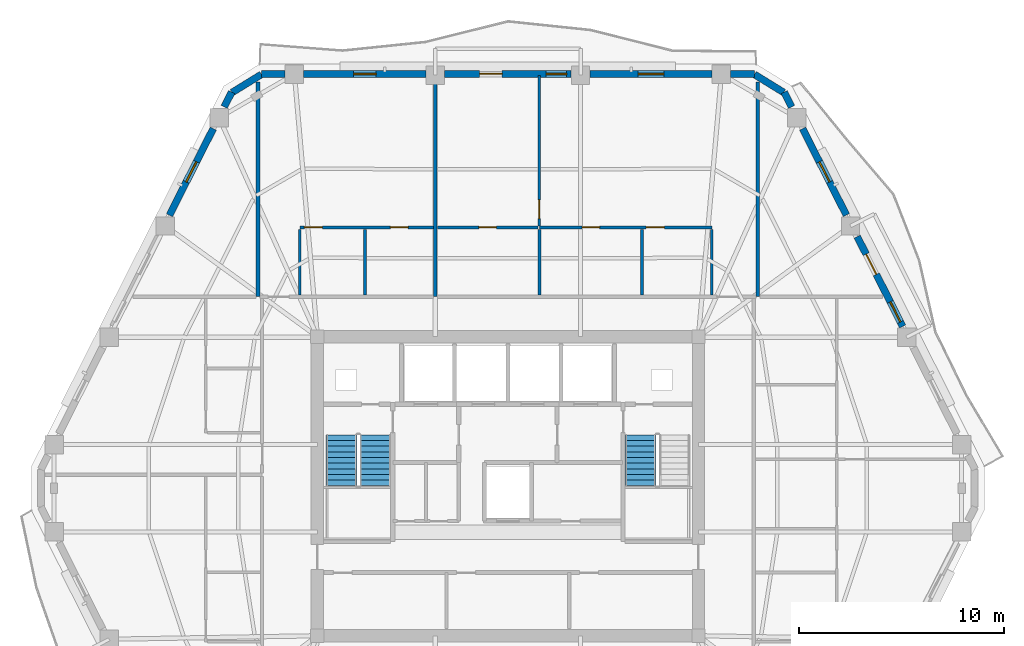
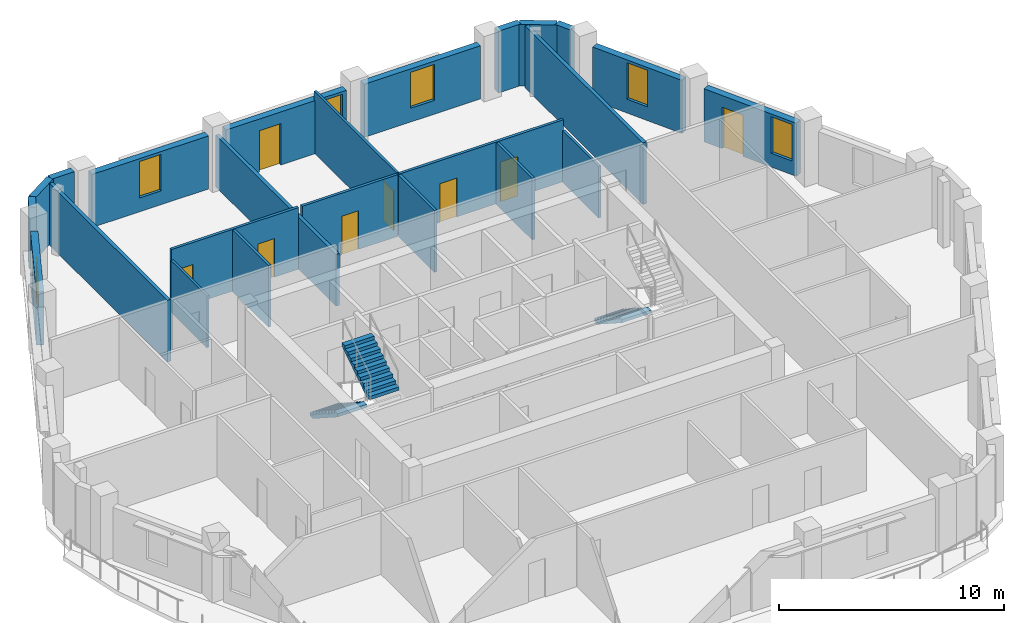
# One storey, part 7 of 11: 24 walls, 8 doors, 6 windows, 3 stair flights, 14 openings, 2 elements without a shape of their own.
"""IFC4 building model written with IfcOpenShell, lengths in metres."""

from ifc_helpers import new_model, si_unit, direction, frame, frame_2d, origin, place, context, subcontext, project, spatial, polyline, rectangle, outline, extrude, material, layer, layer_set, type_object, element, fill, aggregate, save


model = new_model("IFC4")

# Units and contexts
model_context = context("Model", 3, precision=1e-05, world=origin(), true_north=direction((0.0, 1.0)))
body_context = subcontext(model_context, "Body", "Model", "MODEL_VIEW")
ifc_project = project(units=[si_unit("LENGTHUNIT", "METRE"), si_unit("AREAUNIT", "SQUARE_METRE"), si_unit("VOLUMEUNIT", "CUBIC_METRE"), si_unit("PLANEANGLEUNIT", "RADIAN"), si_unit("MASSUNIT", "GRAM", prefix="KILO")], contexts=[model_context])

# Site, building, storey
site_placement = place(None, origin())
site = spatial("IfcSite", under=ifc_project, at=site_placement, CompositionType="ELEMENT")
building_placement = place(site_placement, origin())
building = spatial("IfcBuilding", under=site, at=building_placement, Name="Cinnabar Lancet Tower", CompositionType="ELEMENT")
storey_placement = place(building_placement, frame((0.0, 0.0, 196.75)))
storey = spatial("IfcBuildingStorey", under=building, at=storey_placement, Name="L52", CompositionType="ELEMENT", Elevation=196.75)

# Walls
ifc_material_1 = material(Name="Fire-rated twin-frame acoustic drywall", Category="gypsum")
ifc_layer_1 = layer(ifc_material_1, 0.179931640625)
ifc_layer_set_1 = layer_set([ifc_layer_1], Name="Fire-rated twin-frame acoustic drywall")
wall_type_1 = type_object("IfcWallType", Name="ARC-WL-PARTY-180", PredefinedType="PARTITIONING", material=ifc_layer_set_1)
wall_1_placement = place(storey_placement, frame((20.199951171875, 35.14990234375, 0.0), z_axis=(0.0, 0.0, 1.0), x_axis=(0.0, 1.0, 0.0)))
element("IfcWall", 1, at=wall_1_placement, inside=storey, type_object=wall_type_1, Name="PW-L52-NPTY-202", PredefinedType="PARTITIONING", context=body_context, shape_type="SweptSolid", body=[
    extrude(rectangle(XDim=10.482177734375, YDim=0.179931640625, at=frame_2d((5.2412109375, 0.0))), origin(), (0.0, 0.0, 1.0), 3.35009765625),
])
wall_2_placement = place(storey_placement, frame((28.85693359375, 35.14990234375, 0.0), z_axis=(0.0, 0.0, 1.0), x_axis=(0.0, 1.0, 0.0)))
element("IfcWall", 2, at=wall_2_placement, inside=storey, type_object=wall_type_1, Name="PW-L52-NPTY-289", PredefinedType="PARTITIONING", context=body_context, shape_type="SweptSolid", body=[
    extrude(rectangle(XDim=10.695068359375, YDim=0.179931640625, at=frame_2d((5.34765625, 0.0))), origin(), (0.0, 0.0, 1.0), 2.806884765625),
])
wall_3_placement = place(storey_placement, frame((44.60009765625, 35.14990234375, 0.0), z_axis=(0.0, 0.0, 1.0), x_axis=(0.0, 1.0, 0.0)))
element("IfcWall", 3, at=wall_3_placement, inside=storey, type_object=wall_type_1, Name="PW-L52-NPTY-446", PredefinedType="PARTITIONING", context=body_context, shape_type="SweptSolid", body=[
    extrude(rectangle(XDim=10.482177734375, YDim=0.179931640625, at=frame_2d((5.2412109375, 0.0))), origin(), (0.0, 0.0, 1.0), 3.35009765625),
])
ifc_material_2 = material(Name="Gypsum plasterboard stud partition", Category="gypsum")
ifc_layer_2 = layer(ifc_material_2, 0.125)
ifc_layer_set_2 = layer_set([ifc_layer_2], Name="Gypsum plasterboard stud partition")
wall_type_2 = type_object("IfcWallType", Name="ARC-WL-UNIT-125", PredefinedType="PARTITIONING", material=ifc_layer_set_2)
for number, where, z_axis, x_axis, name in (
    (4, (22.25, 35.235107421875, 0.0), (0.0, 0.0, 1.0), (0.0, 1.0, 0.0), "UW-L52-N01-FOYE"),
    (5, (42.35009765625, 35.235107421875, 0.0), (0.0, 0.0, 1.0), (0.0, 1.0, 0.0), "UW-L52-N02-FOYW"),
):
    element("IfcWall", number, at=place(storey_placement, frame(where, z_axis=z_axis, x_axis=x_axis)), inside=storey, type_object=wall_type_2, Name=name, PredefinedType="PARTITIONING", context=body_context, shape_type="SweptSolid", body=[
        extrude(rectangle(XDim=3.19384765625, YDim=0.125, at=frame_2d((1.596923828125, 0.0))), origin(), (0.0, 0.0, 1.0), 2.806884765625),
    ])

# Wall, opening, door
wall_4_placement = place(storey_placement, frame((33.93310546875, 38.60888671875, 0.0), z_axis=(0.0, 0.0, 1.0), x_axis=(0.0, 1.0, 0.0)))
wall_4 = element("IfcWall", 6, at=wall_4_placement, inside=storey, type_object=wall_type_2, Name="UW-L52-N02-MBW", PredefinedType="PARTITIONING", context=body_context, shape_type="SweptSolid", body=[
    extrude(rectangle(XDim=7.326171875, YDim=0.125, at=frame_2d((3.6630859375, 0.0))), origin(), (0.0, 0.0, 1.0), 3.35009765625),
])
opening_1_placement = place(wall_4_placement, frame((0.35009765625, 0.0, 0.0)))
opening_1 = element("IfcOpeningElement", 7, at=opening_1_placement, cuts=wall_4, Name="Opening RD-01", PredefinedType="OPENING", context=body_context, shape_type="SweptSolid", body=[
    extrude(rectangle(XDim=0.919921875, YDim=2.14990234375, at=frame_2d((0.4599609375, 1.074951171875))), frame((0.0, 0.072509765625, 0.0), z_axis=(0.0, -1.0, 0.0), x_axis=(1.0, 0.0, 0.0)), (0.0, 0.0, 1.0), 0.14501953125),
])
ifc_material_3 = material(Name="Engineered timber bedroom door", Category="wood")
door_type_1 = type_object("IfcDoorType", Name="ARC-DR-ROOM", OperationType="NOTDEFINED", PredefinedType="DOOR", material=ifc_material_3)
door_1_placement = place(opening_1_placement, origin())
door_1 = element("IfcDoor", 8, at=door_1_placement, inside=storey, type_object=door_type_1, Name="DR-L52-N02-MBD", OperationType="SINGLE_SWING_LEFT", OverallHeight=2.14990234375, OverallWidth=0.919921875, PredefinedType="DOOR", context=body_context, shape_type="SweptSolid", body=[
    extrude(rectangle(XDim=0.919921875, YDim=2.14990234375, at=frame_2d((0.4599609375, 1.074951171875))), frame((0.0, 0.02490234375, 0.0), z_axis=(0.0, -1.0, 0.0), x_axis=(1.0, 0.0, 0.0)), (0.0, 0.0, 1.0), 0.050048828125),
])
fill(opening_1, door_1)

# Wall, openings, doors
ifc_material_4 = material(Name="Moisture-resistant cement-board plumbing wall", Category="masonry")
ifc_layer_3 = layer(ifc_material_4, 0.139892578125)
ifc_layer_set_3 = layer_set([ifc_layer_3], Name="Moisture-resistant cement-board plumbing wall")
wall_type_3 = type_object("IfcWallType", Name="ARC-WL-WET-140", PredefinedType="PLUMBINGWALL", material=ifc_layer_set_3)
wall_5_placement = place(storey_placement, frame((22.25, 38.533935546875, 0.0), z_axis=(0.0, 0.0, 1.0), x_axis=(1.0, 0.0, 0.0)))
wall_5 = element("IfcWall", 9, at=wall_5_placement, inside=storey, type_object=wall_type_3, Name="UW-L52-N01-SPL", PredefinedType="PLUMBINGWALL", context=body_context, shape_type="SweptSolid", body=[
    extrude(rectangle(XDim=6.511962890625, YDim=0.139892578125, at=frame_2d((3.255859375, 0.0))), origin(), (0.0, 0.0, 1.0), 3.35009765625),
])
opening_2_placement = place(wall_5_placement, frame((4.4169921875, 0.0, 0.0)))
opening_2 = element("IfcOpeningElement", 10, at=opening_2_placement, cuts=wall_5, Name="Opening BD-01", PredefinedType="OPENING", context=body_context, shape_type="SweptSolid", body=[
    extrude(rectangle(XDim=0.860107421875, YDim=2.10009765625, at=frame_2d((0.43017578125, 1.050048828125))), frame((0.0, 0.079833984375, 0.0), z_axis=(0.0, -1.0, 0.0), x_axis=(1.0, 0.0, 0.0)), (0.0, 0.0, 1.0), 0.159912109375),
])
opening_3_placement = place(wall_5_placement, frame((0.219970703125, 0.0, 0.0)))
opening_3 = element("IfcOpeningElement", 11, at=opening_3_placement, cuts=wall_5, Name="Opening RD-02", PredefinedType="OPENING", context=body_context, shape_type="SweptSolid", body=[
    extrude(rectangle(XDim=0.8798828125, YDim=2.14990234375, at=frame_2d((0.43994140625, 1.074951171875))), frame((0.0, 0.079833984375, 0.0), z_axis=(0.0, -1.0, 0.0), x_axis=(1.0, 0.0, 0.0)), (0.0, 0.0, 1.0), 0.159912109375),
])
ifc_material_5 = material(Name="Moisture-resistant timber bathroom door", Category="wood")
door_type_2 = type_object("IfcDoorType", Name="ARC-DR-BATH", OperationType="NOTDEFINED", PredefinedType="DOOR", material=ifc_material_5)
door_2_placement = place(opening_2_placement, origin())
door_2 = element("IfcDoor", 12, at=door_2_placement, inside=storey, type_object=door_type_2, Name="DR-L52-N01-BTH", OperationType="SINGLE_SWING_LEFT", OverallHeight=2.10009765625, OverallWidth=0.860107421875, PredefinedType="DOOR", context=body_context, shape_type="SweptSolid", body=[
    extrude(rectangle(XDim=0.860107421875, YDim=2.10009765625, at=frame_2d((0.43017578125, 1.050048828125))), frame((0.0, 0.02490234375, 0.0), z_axis=(0.0, -1.0, 0.0), x_axis=(1.0, 0.0, 0.0)), (0.0, 0.0, 1.0), 0.050048828125),
])
fill(opening_2, door_2)
ifc_material_6 = material(Name="Engineered timber study door", Category="wood")
door_type_3 = type_object("IfcDoorType", Name="ARC-DR-STUDY", OperationType="NOTDEFINED", PredefinedType="DOOR", material=ifc_material_6)
door_3_placement = place(opening_3_placement, origin())
door_3 = element("IfcDoor", 13, at=door_3_placement, inside=storey, type_object=door_type_3, Name="DR-L52-N01-KIT", OperationType="SINGLE_SWING_RIGHT", OverallHeight=2.14990234375, OverallWidth=0.8798828125, PredefinedType="DOOR", context=body_context, shape_type="SweptSolid", body=[
    extrude(rectangle(XDim=0.8798828125, YDim=2.14990234375, at=frame_2d((0.43994140625, 1.074951171875))), frame((0.0, 0.02490234375, 0.0), z_axis=(0.0, -1.0, 0.0), x_axis=(1.0, 0.0, 0.0)), (0.0, 0.0, 1.0), 0.050048828125),
])
fill(opening_3, door_3)

# Wall
wall_6_placement = place(storey_placement, frame((25.4208984375, 35.235107421875, 0.0), z_axis=(0.0, 0.0, 1.0), x_axis=(0.0, 1.0, 0.0)))
element("IfcWall", 14, at=wall_6_placement, inside=storey, type_object=wall_type_3, Name="UW-L52-N01-KDV", PredefinedType="PLUMBINGWALL", context=body_context, shape_type="SweptSolid", body=[
    extrude(rectangle(XDim=3.19384765625, YDim=0.139892578125, at=frame_2d((1.596923828125, 0.0))), origin(), (0.0, 0.0, 1.0), 3.35009765625),
])

# Wall, openings, doors
wall_7_placement = place(storey_placement, frame((33.93310546875, 38.533935546875, 0.0), z_axis=(0.0, 0.0, 1.0), x_axis=(1.0, 0.0, 0.0)))
wall_7 = element("IfcWall", 15, at=wall_7_placement, inside=storey, type_object=wall_type_3, Name="UW-L52-N02-SPL", PredefinedType="PLUMBINGWALL", context=body_context, shape_type="SweptSolid", body=[
    extrude(rectangle(XDim=8.4169921875, YDim=0.139892578125, at=frame_2d((4.20849609375, 0.0))), origin(), (0.0, 0.0, 1.0), 3.35009765625),
])
opening_4_placement = place(wall_7_placement, frame((2.083984375, 0.0, 0.0)))
opening_4 = element("IfcOpeningElement", 16, at=opening_4_placement, cuts=wall_7, Name="Opening BD-01", PredefinedType="OPENING", context=body_context, shape_type="SweptSolid", body=[
    extrude(rectangle(XDim=0.860107421875, YDim=2.10009765625, at=frame_2d((0.43017578125, 1.050048828125))), frame((0.0, 0.079833984375, 0.0), z_axis=(0.0, -1.0, 0.0), x_axis=(1.0, 0.0, 0.0)), (0.0, 0.0, 1.0), 0.159912109375),
])
opening_5_placement = place(wall_7_placement, frame((5.217041015625, 0.0, 0.0)))
opening_5 = element("IfcOpeningElement", 17, at=opening_5_placement, cuts=wall_7, Name="Opening RD-02", PredefinedType="OPENING", context=body_context, shape_type="SweptSolid", body=[
    extrude(rectangle(XDim=0.8798828125, YDim=2.14990234375, at=frame_2d((0.43994140625, 1.074951171875))), frame((0.0, 0.079833984375, 0.0), z_axis=(0.0, -1.0, 0.0), x_axis=(1.0, 0.0, 0.0)), (0.0, 0.0, 1.0), 0.159912109375),
])
door_4_placement = place(opening_4_placement, origin())
door_4 = element("IfcDoor", 18, at=door_4_placement, inside=storey, type_object=door_type_2, Name="DR-L52-N02-BTH", OperationType="SINGLE_SWING_LEFT", OverallHeight=2.10009765625, OverallWidth=0.860107421875, PredefinedType="DOOR", context=body_context, shape_type="SweptSolid", body=[
    extrude(rectangle(XDim=0.860107421875, YDim=2.10009765625, at=frame_2d((0.43017578125, 1.050048828125))), frame((0.0, 0.02490234375, 0.0), z_axis=(0.0, -1.0, 0.0), x_axis=(1.0, 0.0, 0.0)), (0.0, 0.0, 1.0), 0.050048828125),
])
fill(opening_4, door_4)
door_5_placement = place(opening_5_placement, origin())
door_5 = element("IfcDoor", 19, at=door_5_placement, inside=storey, type_object=door_type_3, Name="DR-L52-N02-KIT", OperationType="SINGLE_SWING_RIGHT", OverallHeight=2.14990234375, OverallWidth=0.8798828125, PredefinedType="DOOR", context=body_context, shape_type="SweptSolid", body=[
    extrude(rectangle(XDim=0.8798828125, YDim=2.14990234375, at=frame_2d((0.43994140625, 1.074951171875))), frame((0.0, 0.02490234375, 0.0), z_axis=(0.0, -1.0, 0.0), x_axis=(1.0, 0.0, 0.0)), (0.0, 0.0, 1.0), 0.050048828125),
])
fill(opening_5, door_5)

# Wall, opening, door
wall_8_placement = place(storey_placement, frame((28.951904296875, 38.533935546875, 0.0), z_axis=(0.0, 0.0, 1.0), x_axis=(1.0, 0.0, 0.0)))
wall_8 = element("IfcWall", 20, at=wall_8_placement, inside=storey, type_object=wall_type_3, Name="UW-L52-N02-SPM", PredefinedType="PLUMBINGWALL", context=body_context, shape_type="SweptSolid", body=[
    extrude(rectangle(XDim=4.906005859375, YDim=0.139892578125, at=frame_2d((2.453125, 0.0))), origin(), (0.0, 0.0, 1.0), 3.35009765625),
])
opening_6_placement = place(wall_8_placement, frame((2.028076171875, 0.0, 0.0)))
opening_6 = element("IfcOpeningElement", 21, at=opening_6_placement, cuts=wall_8, Name="Opening BD-01", PredefinedType="OPENING", context=body_context, shape_type="SweptSolid", body=[
    extrude(rectangle(XDim=0.860107421875, YDim=2.10009765625, at=frame_2d((0.43017578125, 1.050048828125))), frame((0.0, 0.079833984375, 0.0), z_axis=(0.0, -1.0, 0.0), x_axis=(1.0, 0.0, 0.0)), (0.0, 0.0, 1.0), 0.159912109375),
])
door_6_placement = place(opening_6_placement, origin())
door_6 = element("IfcDoor", 22, at=door_6_placement, inside=storey, type_object=door_type_2, Name="DR-L52-N02-ENS", OperationType="SINGLE_SWING_RIGHT", OverallHeight=2.10009765625, OverallWidth=0.860107421875, PredefinedType="DOOR", context=body_context, shape_type="SweptSolid", body=[
    extrude(rectangle(XDim=0.860107421875, YDim=2.10009765625, at=frame_2d((0.43017578125, 1.050048828125))), frame((0.0, 0.02490234375, 0.0), z_axis=(0.0, -1.0, 0.0), x_axis=(1.0, 0.0, 0.0)), (0.0, 0.0, 1.0), 0.050048828125),
])
fill(opening_6, door_6)

# Walls
for number, where, z_axis, x_axis, name in (
    (23, (38.949951171875, 35.235107421875, 0.0), (0.0, 0.0, 1.0), (0.0, 1.0, 0.0), "UW-L52-N02-KBD"),
    (24, (33.93310546875, 35.235107421875, 0.0), (0.0, 0.0, 1.0), (0.0, 1.0, 0.0), "UW-L52-N02-ENSW"),
):
    element("IfcWall", number, at=place(storey_placement, frame(where, z_axis=z_axis, x_axis=x_axis)), inside=storey, type_object=wall_type_3, Name=name, PredefinedType="PLUMBINGWALL", context=body_context, shape_type="SweptSolid", body=[
        extrude(rectangle(XDim=3.19384765625, YDim=0.139892578125, at=frame_2d((1.596923828125, 0.0))), origin(), (0.0, 0.0, 1.0), 3.35009765625),
    ])
ifc_material_7 = material(Name="Cinnabar red clay brick", Category="masonry")
ifc_layer_4 = layer(ifc_material_7, 0.340087890625)
ifc_layer_set_4 = layer_set([ifc_layer_4], Name="Cinnabar red clay brick")
wall_type_4 = type_object("IfcWallType", Name="ENV-WL-BRK-RED-340", PredefinedType="STANDARD", material=ifc_layer_set_4)
for number, where, z_axis, x_axis, name in (
    (25, (45.862060546875, 45.115966796875, 0.0), (0.0, 0.0, 1.0), (-0.851713271379, 0.524008113828, 0.0), "L52 Chamfered Corner Brick Pier 4.1"),
    (26, (20.366943359375, 45.9951171875, 0.0), (0.0, 0.0, 1.0), (-0.851713271379, -0.524008113828, 0.0), "L52 Chamfered Corner Brick Pier 5.1"),
):
    element("IfcWall", number, at=place(storey_placement, frame(where, z_axis=z_axis, x_axis=x_axis)), inside=storey, type_object=wall_type_4, Name=name, PredefinedType="STANDARD", context=body_context, shape_type="SweptSolid", body=[
        extrude(rectangle(XDim=1.677734375, YDim=0.340087890625, at=frame_2d((0.8388671875, 0.0))), origin(), (0.0, 0.0, 1.0), 3.35009765625),
    ])

# Wall, openings, door, window
wall_9_placement = place(storey_placement, frame((51.6650390625, 33.701904296875, 0.0), z_axis=(0.0, 0.0, 1.0), x_axis=(-0.451524246964, 0.89225884944, 0.0)))
wall_9 = element("IfcWall", 27, at=wall_9_placement, inside=storey, type_object=wall_type_4, Name="L52 Face 3 Masonry Bay Wall 3", PredefinedType="STANDARD", context=body_context, shape_type="SweptSolid", body=[
    extrude(rectangle(XDim=4.91015625, YDim=0.340087890625, at=frame_2d((2.455078125, 0.0))), origin(), (0.0, 0.0, 1.0), 2.883056640625),
])
opening_7_placement = place(wall_9_placement, frame((2.842041015625, 0.0, 0.0)))
opening_7 = element("IfcOpeningElement", 28, at=opening_7_placement, cuts=wall_9, Name="Opening TD-01", PredefinedType="OPENING", context=body_context, shape_type="SweptSolid", body=[
    extrude(rectangle(XDim=1.10009765625, YDim=2.25, at=frame_2d((0.550048828125, 1.125))), frame((0.0, 0.179931640625, 0.0), z_axis=(0.0, -1.0, 0.0), x_axis=(1.0, 0.0, 0.0)), (0.0, 0.0, 1.0), 0.360107421875),
])
opening_8_placement = place(wall_9_placement, frame((0.240966796875, 0.0, 0.75)))
opening_8 = element("IfcOpeningElement", 29, at=opening_8_placement, cuts=wall_9, Name="Opening WN-04", PredefinedType="OPENING", context=body_context, shape_type="SweptSolid", body=[
    extrude(rectangle(XDim=1.10009765625, YDim=1.98291015625, at=frame_2d((0.550048828125, 0.991455078125))), frame((0.0, 0.179931640625, 0.0), z_axis=(0.0, -1.0, 0.0), x_axis=(1.0, 0.0, 0.0)), (0.0, 0.0, 1.0), 0.360107421875),
])
ifc_material_8 = material(Name="Thermally broken low-E glazed balcony terrace door", Category="wood")
door_type_4 = type_object("IfcDoorType", Name="ARC-DR-BALC", OperationType="NOTDEFINED", PredefinedType="DOOR", material=ifc_material_8)
door_7_placement = place(opening_7_placement, origin())
door_7 = element("IfcDoor", 30, at=door_7_placement, inside=storey, type_object=door_type_4, Name="L52 Face 3 Glazed Terrace Door", OperationType="SINGLE_SWING_LEFT", OverallHeight=2.25, OverallWidth=1.10009765625, PredefinedType="DOOR", context=body_context, shape_type="SweptSolid", body=[
    extrude(rectangle(XDim=1.10009765625, YDim=2.25, at=frame_2d((0.550048828125, 1.125))), frame((0.0, 0.02490234375, 0.0), z_axis=(0.0, -1.0, 0.0), x_axis=(1.0, 0.0, 0.0)), (0.0, 0.0, 1.0), 0.050048828125),
])
fill(opening_7, door_7)
ifc_material_9 = material(Name="Thermally broken bronze-anodized aluminium tall lancet window", Category="aluminium")
window_type_1 = type_object("IfcWindowType", Name="ENV-WN-LANCET-1100", PartitioningType="SINGLE_PANEL", PredefinedType="WINDOW", material=ifc_material_9)
window_1_placement = place(opening_8_placement, origin())
window_1 = element("IfcWindow", 31, at=window_1_placement, inside=storey, type_object=window_type_1, Name="L52 Split-Bay Gothic Lancet Window 173", OverallHeight=1.98291015625, OverallWidth=1.10009765625, PartitioningType="SINGLE_PANEL", PredefinedType="WINDOW", context=body_context, shape_type="SweptSolid", body=[
    extrude(rectangle(XDim=1.10009765625, YDim=1.98291015625, at=frame_2d((0.550048828125, 0.991455078125))), frame((0.0, 0.030029296875, 0.0), z_axis=(0.0, -1.0, 0.0), x_axis=(1.0, 0.0, 0.0)), (0.0, 0.0, 1.0), 0.06005859375),
])
fill(opening_8, window_1)

# Wall, opening, window
wall_10_placement = place(storey_placement, frame((48.9189453125, 39.1298828125, 0.0), z_axis=(0.0, 0.0, 1.0), x_axis=(-0.45150207307, 0.892270070109, 0.0)))
wall_10 = element("IfcWall", 32, at=wall_10_placement, inside=storey, type_object=wall_type_4, Name="L52 Face 3 Masonry Bay Wall 4", PredefinedType="STANDARD", context=body_context, shape_type="SweptSolid", body=[
    extrude(rectangle(XDim=4.73095703125, YDim=0.340087890625, at=frame_2d((2.365478515625, 0.0))), origin(), (0.0, 0.0, 1.0), 2.883056640625),
])
opening_9_placement = place(wall_10_placement, frame((1.81494140625, 0.0, 0.75)))
opening_9 = element("IfcOpeningElement", 33, at=opening_9_placement, cuts=wall_10, Name="Opening WN-04", PredefinedType="OPENING", context=body_context, shape_type="SweptSolid", body=[
    extrude(rectangle(XDim=1.10009765625, YDim=1.98291015625, at=frame_2d((0.550048828125, 0.991455078125))), frame((0.0, 0.179931640625, 0.0), z_axis=(0.0, -1.0, 0.0), x_axis=(1.0, 0.0, 0.0)), (0.0, 0.0, 1.0), 0.360107421875),
])
window_2_placement = place(opening_9_placement, origin())
window_2 = element("IfcWindow", 34, at=window_2_placement, inside=storey, type_object=window_type_1, Name="L52 Face 3 Gothic Lancet Window 4", OverallHeight=1.98291015625, OverallWidth=1.10009765625, PartitioningType="SINGLE_PANEL", PredefinedType="WINDOW", context=body_context, shape_type="SweptSolid", body=[
    extrude(rectangle(XDim=1.10009765625, YDim=1.98291015625, at=frame_2d((0.550048828125, 0.991455078125))), frame((0.0, 0.030029296875, 0.0), z_axis=(0.0, -1.0, 0.0), x_axis=(1.0, 0.0, 0.0)), (0.0, 0.0, 1.0), 0.06005859375),
])
fill(opening_9, window_2)

# Walls
wall_11_placement = place(storey_placement, frame((46.24609375, 44.4130859375, 0.0), z_axis=(0.0, 0.0, 1.0), x_axis=(-0.451691568309, 0.892174157392, 0.0)))
element("IfcWall", 35, at=wall_11_placement, inside=storey, type_object=wall_type_4, Name="L52 Face 3 Masonry Bay Wall 5", PredefinedType="STANDARD", context=body_context, shape_type="SweptSolid", body=[
    extrude(rectangle(XDim=0.805908203125, YDim=0.340087890625, at=frame_2d((0.40283203125, 0.0))), origin(), (0.0, 0.0, 1.0), 3.35009765625),
])
wall_12_placement = place(storey_placement, frame((44.43798828125, 46.02001953125, 0.0), z_axis=(0.0, 0.0, 1.0), x_axis=(-1.0, 0.0, 0.0)))
element("IfcWall", 36, at=wall_12_placement, inside=storey, type_object=wall_type_4, Name="L52 Face 4 Masonry Bay Wall 1", PredefinedType="STANDARD", context=body_context, shape_type="SweptSolid", body=[
    extrude(rectangle(XDim=1.1630859375, YDim=0.340087890625, at=frame_2d((0.58154296875, 0.0))), origin(), (0.0, 0.0, 1.0), 3.35009765625),
])

# Wall, opening, window
wall_13_placement = place(storey_placement, frame((42.366943359375, 46.02001953125, 0.0), z_axis=(0.0, 0.0, 1.0), x_axis=(-1.0, 0.0, 0.0)))
wall_13 = element("IfcWall", 37, at=wall_13_placement, inside=storey, type_object=wall_type_4, Name="L52 Face 4 Masonry Bay Wall 2", PredefinedType="STANDARD", context=body_context, shape_type="SweptSolid", body=[
    extrude(rectangle(XDim=5.969970703125, YDim=0.340087890625, at=frame_2d((2.98486328125, 0.0))), origin(), (0.0, 0.0, 1.0), 2.883056640625),
])
opening_10_placement = place(wall_13_placement, frame((2.360107421875, 0.0, 0.75)))
opening_10 = element("IfcOpeningElement", 38, at=opening_10_placement, cuts=wall_13, Name="Opening WN-03", PredefinedType="OPENING", context=body_context, shape_type="SweptSolid", body=[
    extrude(rectangle(XDim=1.25, YDim=1.949951171875, at=frame_2d((0.625, 0.97509765625))), frame((0.0, 0.179931640625, 0.0), z_axis=(0.0, -1.0, 0.0), x_axis=(1.0, 0.0, 0.0)), (0.0, 0.0, 1.0), 0.360107421875),
])
ifc_material_10 = material(Name="Thermally broken bronze-anodized aluminium low-E double glazing", Category="aluminium")
window_type_2 = type_object("IfcWindowType", Name="ENV-WN-LANCET-1250", PartitioningType="SINGLE_PANEL", PredefinedType="WINDOW", material=ifc_material_10)
window_3_placement = place(opening_10_placement, origin())
window_3 = element("IfcWindow", 39, at=window_3_placement, inside=storey, type_object=window_type_2, Name="L52 Face 4 Gothic Lancet Window 2", OverallHeight=1.949951171875, OverallWidth=1.25, PartitioningType="SINGLE_PANEL", PredefinedType="WINDOW", context=body_context, shape_type="SweptSolid", body=[
    extrude(rectangle(XDim=1.25, YDim=1.949951171875, at=frame_2d((0.625, 0.97509765625))), frame((0.0, 0.030029296875, 0.0), z_axis=(0.0, -1.0, 0.0), x_axis=(1.0, 0.0, 0.0)), (0.0, 0.0, 1.0), 0.06005859375),
])
fill(opening_10, window_3)

# Wall, openings, door, window
wall_14_placement = place(storey_placement, frame((35.489013671875, 46.02001953125, 0.0), z_axis=(0.0, 0.0, 1.0), x_axis=(-1.0, 0.0, 0.0)))
wall_14 = element("IfcWall", 40, at=wall_14_placement, inside=storey, type_object=wall_type_4, Name="L52 Face 4 Masonry Bay Wall 3", PredefinedType="STANDARD", context=body_context, shape_type="SweptSolid", body=[
    extrude(rectangle(XDim=6.177978515625, YDim=0.340087890625, at=frame_2d((3.0888671875, 0.0))), origin(), (0.0, 0.0, 1.0), 2.883056640625),
])
opening_11_placement = place(wall_14_placement, frame((3.367919921875, 0.0, 0.0)))
opening_11 = element("IfcOpeningElement", 41, at=opening_11_placement, cuts=wall_14, Name="Opening TD-01", PredefinedType="OPENING", context=body_context, shape_type="SweptSolid", body=[
    extrude(rectangle(XDim=1.10009765625, YDim=2.25, at=frame_2d((0.550048828125, 1.125))), frame((0.0, 0.179931640625, 0.0), z_axis=(0.0, -1.0, 0.0), x_axis=(1.0, 0.0, 0.0)), (0.0, 0.0, 1.0), 0.360107421875),
])
opening_12_placement = place(wall_14_placement, frame((0.219970703125, 0.0, 0.75)))
opening_12 = element("IfcOpeningElement", 42, at=opening_12_placement, cuts=wall_14, Name="Opening WN-04", PredefinedType="OPENING", context=body_context, shape_type="SweptSolid", body=[
    extrude(rectangle(XDim=1.0029296875, YDim=1.98291015625, at=frame_2d((0.50146484375, 0.991455078125))), frame((0.0, 0.179931640625, 0.0), z_axis=(0.0, -1.0, 0.0), x_axis=(1.0, 0.0, 0.0)), (0.0, 0.0, 1.0), 0.360107421875),
])
door_8_placement = place(opening_11_placement, origin())
door_8 = element("IfcDoor", 43, at=door_8_placement, inside=storey, type_object=door_type_4, Name="L52 Face 4 Glazed Terrace Door", OperationType="SINGLE_SWING_RIGHT", OverallHeight=2.25, OverallWidth=1.10009765625, PredefinedType="DOOR", context=body_context, shape_type="SweptSolid", body=[
    extrude(rectangle(XDim=1.10009765625, YDim=2.25, at=frame_2d((0.550048828125, 1.125))), frame((0.0, 0.02490234375, 0.0), z_axis=(0.0, -1.0, 0.0), x_axis=(1.0, 0.0, 0.0)), (0.0, 0.0, 1.0), 0.050048828125),
])
fill(opening_11, door_8)
window_4_placement = place(opening_12_placement, origin())
window_4 = element("IfcWindow", 44, at=window_4_placement, inside=storey, type_object=window_type_1, Name="L52 Split-Bay Gothic Lancet Window 174", OverallHeight=1.98291015625, OverallWidth=1.0029296875, PartitioningType="SINGLE_PANEL", PredefinedType="WINDOW", context=body_context, shape_type="SweptSolid", body=[
    extrude(rectangle(XDim=1.0029296875, YDim=1.98291015625, at=frame_2d((0.50146484375, 0.991455078125))), frame((0.0, 0.030029296875, 0.0), z_axis=(0.0, -1.0, 0.0), x_axis=(1.0, 0.0, 0.0)), (0.0, 0.0, 1.0), 0.06005859375),
])
fill(opening_12, window_4)

# Wall, opening, window
wall_15_placement = place(storey_placement, frame((28.403076171875, 46.02001953125, 0.0), z_axis=(0.0, 0.0, 1.0), x_axis=(-1.0, 0.0, 0.0)))
wall_15 = element("IfcWall", 45, at=wall_15_placement, inside=storey, type_object=wall_type_4, Name="L52 Face 4 Masonry Bay Wall 4", PredefinedType="STANDARD", context=body_context, shape_type="SweptSolid", body=[
    extrude(rectangle(XDim=5.969970703125, YDim=0.340087890625, at=frame_2d((2.98486328125, 0.0))), origin(), (0.0, 0.0, 1.0), 2.883056640625),
])
opening_13_placement = place(wall_15_placement, frame((2.43505859375, 0.0, 0.75)))
opening_13 = element("IfcOpeningElement", 46, at=opening_13_placement, cuts=wall_15, Name="Opening WN-04", PredefinedType="OPENING", context=body_context, shape_type="SweptSolid", body=[
    extrude(rectangle(XDim=1.10009765625, YDim=1.98291015625, at=frame_2d((0.550048828125, 0.991455078125))), frame((0.0, 0.179931640625, 0.0), z_axis=(0.0, -1.0, 0.0), x_axis=(1.0, 0.0, 0.0)), (0.0, 0.0, 1.0), 0.360107421875),
])
window_5_placement = place(opening_13_placement, origin())
window_5 = element("IfcWindow", 47, at=window_5_placement, inside=storey, type_object=window_type_1, Name="L52 Face 4 Gothic Lancet Window 4", OverallHeight=1.98291015625, OverallWidth=1.10009765625, PartitioningType="SINGLE_PANEL", PredefinedType="WINDOW", context=body_context, shape_type="SweptSolid", body=[
    extrude(rectangle(XDim=1.10009765625, YDim=1.98291015625, at=frame_2d((0.550048828125, 0.991455078125))), frame((0.0, 0.030029296875, 0.0), z_axis=(0.0, -1.0, 0.0), x_axis=(1.0, 0.0, 0.0)), (0.0, 0.0, 1.0), 0.06005859375),
])
fill(opening_13, window_5)

# Walls
wall_16_placement = place(storey_placement, frame((21.52490234375, 46.02001953125, 0.0), z_axis=(0.0, 0.0, 1.0), x_axis=(-1.0, 0.0, 0.0)))
element("IfcWall", 48, at=wall_16_placement, inside=storey, type_object=wall_type_4, Name="L52 Face 4 Masonry Bay Wall 5", PredefinedType="STANDARD", context=body_context, shape_type="SweptSolid", body=[
    extrude(rectangle(XDim=1.162841796875, YDim=0.340087890625, at=frame_2d((0.58154296875, 0.0))), origin(), (0.0, 0.0, 1.0), 3.35009765625),
])
wall_17_placement = place(storey_placement, frame((18.91796875, 45.132080078125, 0.0), z_axis=(0.0, 0.0, 1.0), x_axis=(-0.451691568309, -0.892174157392, 0.0)))
element("IfcWall", 49, at=wall_17_placement, inside=storey, type_object=wall_type_4, Name="L52 Face 5 Masonry Bay Wall 1", PredefinedType="STANDARD", context=body_context, shape_type="SweptSolid", body=[
    extrude(rectangle(XDim=0.805908203125, YDim=0.340087890625, at=frame_2d((0.40283203125, 0.0))), origin(), (0.0, 0.0, 1.0), 3.35009765625),
])

# Wall, opening, window
wall_18_placement = place(storey_placement, frame((18.01708984375, 43.35107421875, 0.0), z_axis=(0.0, 0.0, 1.0), x_axis=(-0.45150207307, -0.892270070109, 0.0)))
wall_18 = element("IfcWall", 50, at=wall_18_placement, inside=storey, type_object=wall_type_4, Name="L52 Face 5 Masonry Bay Wall 2", PredefinedType="STANDARD", context=body_context, shape_type="SweptSolid", body=[
    extrude(rectangle(XDim=4.73095703125, YDim=0.340087890625, at=frame_2d((2.365478515625, 0.0))), origin(), (0.0, 0.0, 1.0), 2.883056640625),
])
opening_14_placement = place(wall_18_placement, frame((1.81494140625, 0.0, 0.75)))
opening_14 = element("IfcOpeningElement", 51, at=opening_14_placement, cuts=wall_18, Name="Opening WN-04", PredefinedType="OPENING", context=body_context, shape_type="SweptSolid", body=[
    extrude(rectangle(XDim=1.10009765625, YDim=1.98291015625, at=frame_2d((0.550048828125, 0.991455078125))), frame((0.0, 0.179931640625, 0.0), z_axis=(0.0, -1.0, 0.0), x_axis=(1.0, 0.0, 0.0)), (0.0, 0.0, 1.0), 0.360107421875),
])
window_6_placement = place(opening_14_placement, origin())
window_6 = element("IfcWindow", 52, at=window_6_placement, inside=storey, type_object=window_type_1, Name="L52 Face 5 Gothic Lancet Window 2", OverallHeight=1.98291015625, OverallWidth=1.10009765625, PartitioningType="SINGLE_PANEL", PredefinedType="WINDOW", context=body_context, shape_type="SweptSolid", body=[
    extrude(rectangle(XDim=1.10009765625, YDim=1.98291015625, at=frame_2d((0.550048828125, 0.991455078125))), frame((0.0, 0.030029296875, 0.0), z_axis=(0.0, -1.0, 0.0), x_axis=(1.0, 0.0, 0.0)), (0.0, 0.0, 1.0), 0.06005859375),
])
fill(opening_14, window_6)

# Stair, stair flights
ifc_material_11 = material(Name="Concrete C40/50", Category="concrete")
stair_type = type_object("IfcStairType", Name="ST-CORE", PredefinedType="HALF_TURN_STAIR", material=ifc_material_11)
stair_1_placement = place(storey_placement, origin())
stair_1 = element("IfcStair", 53, at=stair_1_placement, inside=storey, type_object=stair_type, Name="L52 ST-1", PredefinedType="HALF_TURN_STAIR")
ifc_material_12 = material(Name="Concrete C40/50", Category="concrete")
stair_flight_type = type_object("IfcStairFlightType", Name="FLIGHT-CORE", PredefinedType="STRAIGHT", material=ifc_material_12)
stair_flight_1_placement = place(storey_placement, frame((24.27490234375, 28.39990234375, 0.0), z_axis=(0.0, 0.0, 1.0), x_axis=(0.0, -1.0, 0.0)))
stair_flight_1 = element("IfcStairFlight", 54, at=stair_flight_1_placement, type_object=stair_flight_type, Name="ST-1 flight 1", NumberOfRisers=10, NumberOfTreads=9, PredefinedType="STRAIGHT", RiserHeight=0.1775, TreadLength=0.275, context=body_context, shape_type="SweptSolid", body=[
    extrude(outline(polyline([(0.0, 0.0), (0.0, 0.177490234375), (0.27490234375, 0.177490234375), (0.27490234375, 0.35498046875), (0.550048828125, 0.35498046875), (0.550048828125, 0.532470703125), (0.824951171875, 0.532470703125), (0.824951171875, 0.7099609375), (1.10009765625, 0.7099609375), (1.10009765625, 0.887451171875), (1.375, 0.887451171875), (1.375, 1.06494140625), (1.64990234375, 1.06494140625), (1.64990234375, 1.242431640625), (1.925048828125, 1.242431640625), (1.925048828125, 1.419921875), (2.199951171875, 1.419921875), (2.199951171875, 1.597412109375), (2.47509765625, 1.597412109375), (2.47509765625, 1.77490234375), (2.47509765625, 1.419189453125), (0.2763671875, 0.0), (0.0, 0.0)])), frame((0.0, 0.75, 0.0), z_axis=(0.0, -1.0, 0.0), x_axis=(1.0, 0.0, 0.0)), (0.0, 0.0, 1.0), 1.5),
])
stair_flight_2_placement = place(storey_placement, frame((25.925048828125, 25.925048828125, 1.77490234375), z_axis=(0.0, 0.0, 1.0), x_axis=(0.0, 1.0, 0.0)))
stair_flight_2 = element("IfcStairFlight", 55, at=stair_flight_2_placement, type_object=stair_flight_type, Name="ST-1 flight 2", NumberOfRisers=10, NumberOfTreads=9, PredefinedType="STRAIGHT", RiserHeight=0.1775, TreadLength=0.275, context=body_context, shape_type="SweptSolid", body=[
    extrude(outline(polyline([(0.0, 0.0), (0.0, 0.177490234375), (0.27490234375, 0.177490234375), (0.27490234375, 0.35498046875), (0.550048828125, 0.35498046875), (0.550048828125, 0.532470703125), (0.824951171875, 0.532470703125), (0.824951171875, 0.7099609375), (1.10009765625, 0.7099609375), (1.10009765625, 0.887451171875), (1.375, 0.887451171875), (1.375, 1.06494140625), (1.64990234375, 1.06494140625), (1.64990234375, 1.242431640625), (1.925048828125, 1.242431640625), (1.925048828125, 1.419921875), (2.199951171875, 1.419921875), (2.199951171875, 1.597412109375), (2.47509765625, 1.597412109375), (2.47509765625, 1.77490234375), (2.47509765625, 1.419189453125), (0.2763671875, 0.0), (0.0, 0.0)])), frame((0.0, 0.75, 0.0), z_axis=(0.0, -1.0, 0.0), x_axis=(1.0, 0.0, 0.0)), (0.0, 0.0, 1.0), 1.5),
])
aggregate(stair_1, [stair_flight_1, stair_flight_2])

# Stair, stair flight
stair_2_placement = place(storey_placement, origin())
stair_2 = element("IfcStair", 56, at=stair_2_placement, inside=storey, type_object=stair_type, Name="L52 ST-2", PredefinedType="HALF_TURN_STAIR")
stair_flight_3_placement = place(storey_placement, frame((38.875, 28.39990234375, 0.0), z_axis=(0.0, 0.0, 1.0), x_axis=(0.0, -1.0, 0.0)))
stair_flight_3 = element("IfcStairFlight", 57, at=stair_flight_3_placement, type_object=stair_flight_type, Name="ST-2 flight 1", NumberOfRisers=10, NumberOfTreads=9, PredefinedType="STRAIGHT", RiserHeight=0.1775, TreadLength=0.275, context=body_context, shape_type="SweptSolid", body=[
    extrude(outline(polyline([(0.0, 0.0), (0.0, 0.177490234375), (0.27490234375, 0.177490234375), (0.27490234375, 0.35498046875), (0.550048828125, 0.35498046875), (0.550048828125, 0.532470703125), (0.824951171875, 0.532470703125), (0.824951171875, 0.7099609375), (1.10009765625, 0.7099609375), (1.10009765625, 0.887451171875), (1.375, 0.887451171875), (1.375, 1.06494140625), (1.64990234375, 1.06494140625), (1.64990234375, 1.242431640625), (1.925048828125, 1.242431640625), (1.925048828125, 1.419921875), (2.199951171875, 1.419921875), (2.199951171875, 1.597412109375), (2.47509765625, 1.597412109375), (2.47509765625, 1.77490234375), (2.47509765625, 1.419189453125), (0.2763671875, 0.0), (0.0, 0.0)])), frame((0.0, 0.75, 0.0), z_axis=(0.0, -1.0, 0.0), x_axis=(1.0, 0.0, 0.0)), (0.0, 0.0, 1.0), 1.5),
])
aggregate(stair_2, [stair_flight_3])

save(model, "model.ifc")
